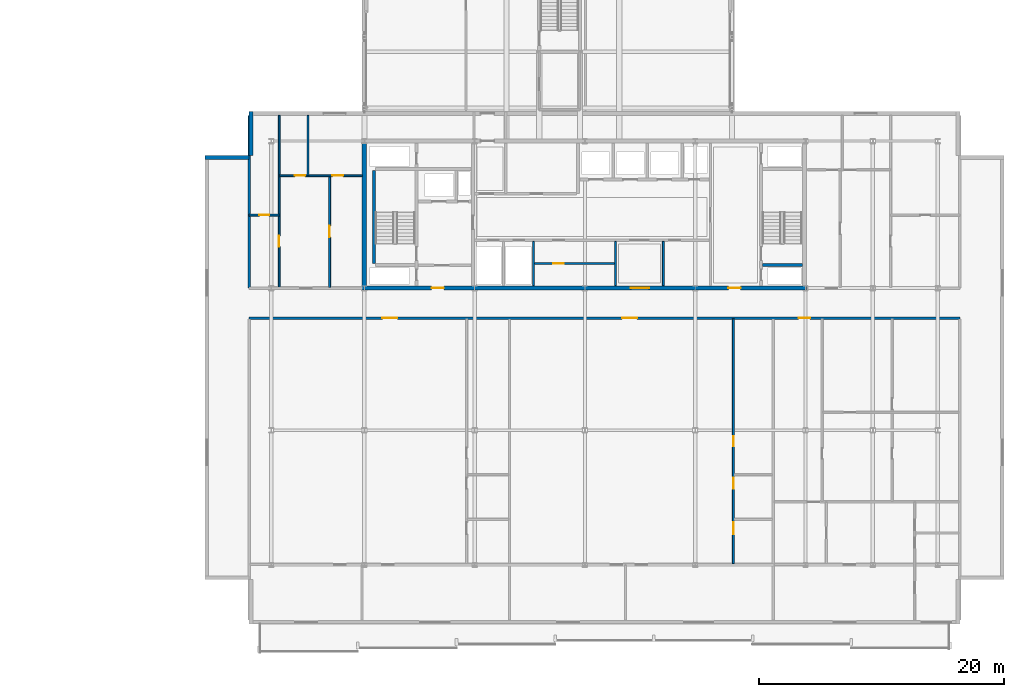
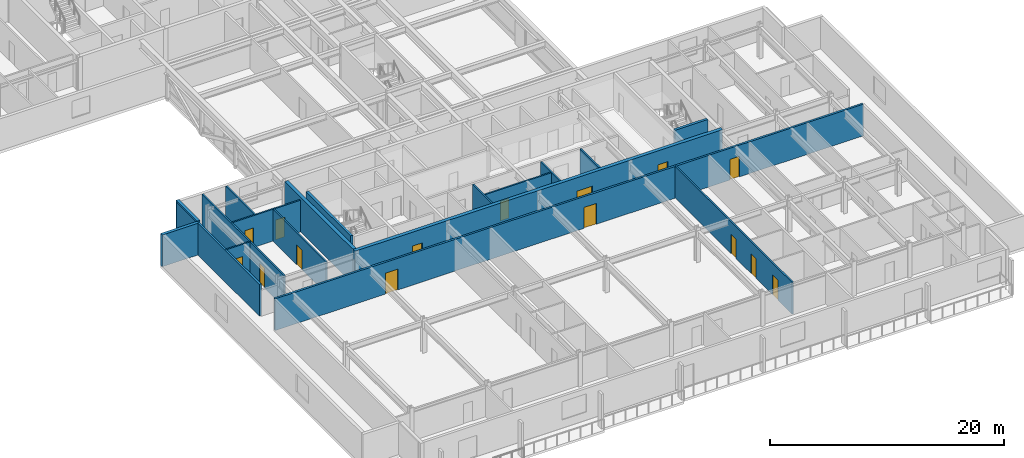
# One storey, part 18 of 35: 18 walls, 15 doors, 15 openings.
"""IFC4 building model written with IfcOpenShell, lengths in metres."""

from ifc_helpers import new_model, si_unit, direction, frame, frame_2d, origin, place, context, subcontext, project, spatial, rectangle, extrude, material, layer, layer_set, type_object, element, fill, save


model = new_model("IFC4")

# Units and contexts
model_context = context("Model", 3, precision=1e-05, world=origin(), true_north=direction((0.0, 1.0)))
body_context = subcontext(model_context, "Body", "Model", "MODEL_VIEW")
ifc_project = project(units=[si_unit("LENGTHUNIT", "METRE"), si_unit("AREAUNIT", "SQUARE_METRE"), si_unit("VOLUMEUNIT", "CUBIC_METRE"), si_unit("PLANEANGLEUNIT", "RADIAN"), si_unit("MASSUNIT", "GRAM", prefix="KILO")], contexts=[model_context])

# Site, building, storey
site_placement = place(None, origin())
site = spatial("IfcSite", under=ifc_project, at=site_placement, CompositionType="ELEMENT")
building_placement = place(site_placement, origin())
building = spatial("IfcBuilding", under=site, at=building_placement, Name="Korimba Cascade Residences", CompositionType="ELEMENT")
storey_placement = place(building_placement, frame((0.0, 0.0, 150.10009765625)))
storey = spatial("IfcBuildingStorey", under=building, at=storey_placement, Name="L43", CompositionType="ELEMENT", Elevation=150.10009765625)

# Walls
ifc_material_1 = material(Name="Precast concrete C40/50", Category="concrete")
ifc_layer_1 = layer(ifc_material_1, 0.300048828125)
ifc_layer_set_1 = layer_set([ifc_layer_1], Name="Precast concrete C40/50")
wall_type_1 = type_object("IfcWallType", Name="EW-STONE-300", PredefinedType="STANDARD", material=ifc_layer_set_1)
wall_1_placement = place(storey_placement, frame((72.85009765625, 32.800048828125, 0.0), z_axis=(0.0, 0.0, 1.0), x_axis=(0.0, -1.0, 0.0)))
element("IfcWall", 1, at=wall_1_placement, inside=storey, type_object=wall_type_1, Name="L43 T2 Perimeter Stone Wall E07", PredefinedType="STANDARD", context=body_context, shape_type="SweptSolid", body=[
    extrude(rectangle(XDim=3.60009765625, YDim=0.300048828125, at=frame_2d((1.800048828125, 0.0))), origin(), (0.0, 0.0, 1.0), 3.309814453125),
])
wall_2_placement = place(storey_placement, frame((72.699951171875, 29.050048828125, 0.0), z_axis=(0.0, 0.0, 1.0), x_axis=(-1.0, 0.0, 0.0)))
element("IfcWall", 2, at=wall_2_placement, inside=storey, type_object=wall_type_1, Name="L43 T2 Perimeter Stone Wall E08", PredefinedType="STANDARD", context=body_context, shape_type="SweptSolid", body=[
    extrude(rectangle(XDim=3.599853515625, YDim=0.300048828125, at=frame_2d((1.7998046875, 0.0))), origin(), (0.0, 0.0, 1.0), 3.309814453125),
])
ifc_material_2 = material(Name="Concrete C65/80", Category="concrete")
ifc_layer_2 = layer(ifc_material_2, 0.35009765625)
ifc_layer_set_2 = layer_set([ifc_layer_2], Name="Concrete C65/80")
wall_type_2 = type_object("IfcWallType", Name="WAL-CORE-350", PredefinedType="SHEAR", material=ifc_layer_set_2)
wall_3_placement = place(storey_placement, frame((82.10009765625, 18.574951171875, 0.0), z_axis=(0.0, 0.0, 1.0), x_axis=(0.0, 1.0, 0.0)))
element("IfcWall", 3, at=wall_3_placement, inside=storey, type_object=wall_type_2, Name="L43 Core Shear Wall CW-L43-T2-W", PredefinedType="SHEAR", context=body_context, shape_type="SweptSolid", body=[
    extrude(rectangle(XDim=11.650146484375, YDim=0.35009765625, at=frame_2d((5.8251953125, 0.0))), origin(), (0.0, 0.0, 1.0), 3.599853515625),
])

# Wall, openings, doors
wall_4_placement = place(storey_placement, frame((81.925048828125, 18.39990234375, 0.0), z_axis=(0.0, 0.0, 1.0), x_axis=(1.0, 0.0, 0.0)))
wall_4 = element("IfcWall", 4, at=wall_4_placement, inside=storey, type_object=wall_type_2, Name="L43 Core Shear Wall CW-L43-T2-S", PredefinedType="SHEAR", context=body_context, shape_type="SweptSolid", body=[
    extrude(rectangle(XDim=36.264892578125, YDim=0.35009765625, at=frame_2d((18.13232421875, 0.0))), origin(), (0.0, 0.0, 1.0), 3.599853515625),
])
opening_1_placement = place(wall_4_placement, frame((5.675048828125, 0.0, 0.0)))
opening_1 = element("IfcOpeningElement", 5, at=opening_1_placement, cuts=wall_4, Name="Opening D-FD5", PredefinedType="OPENING", context=body_context, shape_type="SweptSolid", body=[
    extrude(rectangle(XDim=1.0, YDim=2.14990234375, at=frame_2d((0.5, 1.074951171875))), frame((0.0, 0.18505859375, 0.0), z_axis=(0.0, -1.0, 0.0), x_axis=(1.0, 0.0, 0.0)), (0.0, 0.0, 1.0), 0.3701171875),
])
opening_2_placement = place(wall_4_placement, frame((21.925048828125, 0.0, 0.0)))
opening_2 = element("IfcOpeningElement", 6, at=opening_2_placement, cuts=wall_4, Name="Opening D-FD8", PredefinedType="OPENING", context=body_context, shape_type="SweptSolid", body=[
    extrude(rectangle(XDim=1.5, YDim=2.199951171875, at=frame_2d((0.75, 1.10009765625))), frame((0.0, 0.18505859375, 0.0), z_axis=(0.0, -1.0, 0.0), x_axis=(1.0, 0.0, 0.0)), (0.0, 0.0, 1.0), 0.3701171875),
])
opening_3_placement = place(wall_4_placement, frame((29.875, 0.0, 0.0)))
opening_3 = element("IfcOpeningElement", 7, at=opening_3_placement, cuts=wall_4, Name="Opening D-FD5", PredefinedType="OPENING", context=body_context, shape_type="SweptSolid", body=[
    extrude(rectangle(XDim=1.0, YDim=2.14990234375, at=frame_2d((0.5, 1.074951171875))), frame((0.0, 0.18505859375, 0.0), z_axis=(0.0, -1.0, 0.0), x_axis=(1.0, 0.0, 0.0)), (0.0, 0.0, 1.0), 0.3701171875),
])
ifc_material_3 = material(Name="Fire-Rated Acoustic Timber Vestibule Door", Category="wood")
door_type_1 = type_object("IfcDoorType", Name="DR-FD90-1000", OperationType="NOTDEFINED", PredefinedType="DOOR", material=ifc_material_3)
door_1_placement = place(opening_1_placement, origin())
door_1 = element("IfcDoor", 8, at=door_1_placement, inside=storey, type_object=door_type_1, Name="L43 T2 West Core Vestibule Fire Door", OperationType="SINGLE_SWING_RIGHT", OverallHeight=2.14990234375, OverallWidth=1.0, PredefinedType="DOOR", context=body_context, shape_type="SweptSolid", body=[
    extrude(rectangle(XDim=1.0, YDim=2.14990234375, at=frame_2d((0.5, 1.074951171875))), frame((0.0, 0.02490234375, 0.0), z_axis=(0.0, -1.0, 0.0), x_axis=(1.0, 0.0, 0.0)), (0.0, 0.0, 1.0), 0.050048828125),
])
fill(opening_1, door_1)
door_2_placement = place(opening_3_placement, origin())
door_2 = element("IfcDoor", 9, at=door_2_placement, inside=storey, type_object=door_type_1, Name="L43 T2 East Stair Vestibule Fire Door", OperationType="SINGLE_SWING_LEFT", OverallHeight=2.14990234375, OverallWidth=1.0, PredefinedType="DOOR", context=body_context, shape_type="SweptSolid", body=[
    extrude(rectangle(XDim=1.0, YDim=2.14990234375, at=frame_2d((0.5, 1.074951171875))), frame((0.0, 0.02490234375, 0.0), z_axis=(0.0, -1.0, 0.0), x_axis=(1.0, 0.0, 0.0)), (0.0, 0.0, 1.0), 0.050048828125),
])
fill(opening_3, door_2)
ifc_material_4 = material(Name="Fire-Rated Glazed Lift Lobby Double Door", Category="glass")
door_type_2 = type_object("IfcDoorType", Name="DR-FD90-1500", OperationType="NOTDEFINED", PredefinedType="DOOR", material=ifc_material_4)
door_3_placement = place(opening_2_placement, origin())
door_3 = element("IfcDoor", 10, at=door_3_placement, inside=storey, type_object=door_type_2, Name="L43 T2 Lift Lobby Fire Door", OperationType="DOUBLE_DOOR_SINGLE_SWING", OverallHeight=2.199951171875, OverallWidth=1.5, PredefinedType="DOOR", context=body_context, shape_type="SweptSolid", body=[
    extrude(rectangle(XDim=1.5, YDim=2.199951171875, at=frame_2d((0.75, 1.10009765625))), frame((0.0, 0.02490234375, 0.0), z_axis=(0.0, -1.0, 0.0), x_axis=(1.0, 0.0, 0.0)), (0.0, 0.0, 1.0), 0.050048828125),
])
fill(opening_2, door_3)

# Wall
ifc_layer_3 = layer(ifc_material_1, 0.199951171875)
ifc_layer_set_3 = layer_set([ifc_layer_3], Name="Precast concrete C40/50")
wall_type_3 = type_object("IfcWallType", Name="WAL-IT-200", PredefinedType="PARTITIONING", material=ifc_layer_set_3)
wall_5_placement = place(storey_placement, frame((72.699951171875, 18.39990234375, 0.0), z_axis=(0.0, 0.0, 1.0), x_axis=(0.0, 1.0, 0.0)))
element("IfcWall", 11, at=wall_5_placement, inside=storey, type_object=wall_type_3, Name="L43 Partition Wall WAL-L43-T2-FW-WL", PredefinedType="PARTITIONING", context=body_context, shape_type="SweptSolid", body=[
    extrude(rectangle(XDim=14.10009765625, YDim=0.199951171875, at=frame_2d((7.050048828125, 0.0))), origin(), (0.0, 0.0, 1.0), 3.309814453125),
])

# Wall, openings, doors
wall_6_placement = place(storey_placement, frame((72.699951171875, 15.949951171875, 0.0), z_axis=(0.0, 0.0, 1.0), x_axis=(1.0, 0.0, 0.0)))
wall_6 = element("IfcWall", 12, at=wall_6_placement, inside=storey, type_object=wall_type_3, Name="L43 Partition Wall WAL-L43-T2-CORS", PredefinedType="PARTITIONING", context=body_context, shape_type="SweptSolid", body=[
    extrude(rectangle(XDim=58.0, YDim=0.199951171875, at=frame_2d((29.0, 0.0))), origin(), (0.0, 0.0, 1.0), 3.309814453125),
])
opening_4_placement = place(wall_6_placement, frame((10.86767578125, 0.0, 0.0)))
opening_4 = element("IfcOpeningElement", 13, at=opening_4_placement, cuts=wall_6, Name="Opening D-AM1", PredefinedType="OPENING", context=body_context, shape_type="SweptSolid", body=[
    extrude(rectangle(XDim=1.219970703125, YDim=2.179931640625, at=frame_2d((0.60986328125, 1.08984375))), frame((0.0, 0.10986328125, 0.0), z_axis=(0.0, -1.0, 0.0), x_axis=(1.0, 0.0, 0.0)), (0.0, 0.0, 1.0), 0.219970703125),
])
opening_5_placement = place(wall_6_placement, frame((30.44091796875, 0.0, 0.0)))
opening_5 = element("IfcOpeningElement", 14, at=opening_5_placement, cuts=wall_6, Name="Opening D-AM1", PredefinedType="OPENING", context=body_context, shape_type="SweptSolid", body=[
    extrude(rectangle(XDim=1.219970703125, YDim=2.179931640625, at=frame_2d((0.60986328125, 1.08984375))), frame((0.0, 0.10986328125, 0.0), z_axis=(0.0, -1.0, 0.0), x_axis=(1.0, 0.0, 0.0)), (0.0, 0.0, 1.0), 0.219970703125),
])
opening_6_placement = place(wall_6_placement, frame((44.831298828125, 0.0, 0.0)))
opening_6 = element("IfcOpeningElement", 15, at=opening_6_placement, cuts=wall_6, Name="Opening D-UN1", PredefinedType="OPENING", context=body_context, shape_type="SweptSolid", body=[
    extrude(rectangle(XDim=0.949951171875, YDim=2.14990234375, at=frame_2d((0.47509765625, 1.074951171875))), frame((0.0, 0.10986328125, 0.0), z_axis=(0.0, -1.0, 0.0), x_axis=(1.0, 0.0, 0.0)), (0.0, 0.0, 1.0), 0.219970703125),
])
ifc_material_5 = material(Name="Fire-Rated Glazed Timber Suite Door", Category="wood")
door_type_3 = type_object("IfcDoorType", Name="DR-FD60-1200", OperationType="NOTDEFINED", PredefinedType="DOOR", material=ifc_material_5)
door_4_placement = place(opening_4_placement, origin())
door_4 = element("IfcDoor", 16, at=door_4_placement, inside=storey, type_object=door_type_3, Name="L43-T2-U01 Transfer Reception Foyer Door", OperationType="SINGLE_SWING_RIGHT", OverallHeight=2.179931640625, OverallWidth=1.219970703125, PredefinedType="DOOR", context=body_context, shape_type="SweptSolid", body=[
    extrude(rectangle(XDim=1.219970703125, YDim=2.179931640625, at=frame_2d((0.60986328125, 1.08984375))), frame((0.0, 0.02490234375, 0.0), z_axis=(0.0, -1.0, 0.0), x_axis=(1.0, 0.0, 0.0)), (0.0, 0.0, 1.0), 0.050048828125),
])
fill(opening_4, door_4)
door_5_placement = place(opening_5_placement, origin())
door_5 = element("IfcDoor", 17, at=door_5_placement, inside=storey, type_object=door_type_3, Name="L43-T2-U02 Architecture Reading Library Door", OperationType="SINGLE_SWING_LEFT", OverallHeight=2.179931640625, OverallWidth=1.219970703125, PredefinedType="DOOR", context=body_context, shape_type="SweptSolid", body=[
    extrude(rectangle(XDim=1.219970703125, YDim=2.179931640625, at=frame_2d((0.60986328125, 1.08984375))), frame((0.0, 0.02490234375, 0.0), z_axis=(0.0, -1.0, 0.0), x_axis=(1.0, 0.0, 0.0)), (0.0, 0.0, 1.0), 0.050048828125),
])
fill(opening_5, door_5)
ifc_material_6 = material(Name="Fire-Rated Hardwood Apartment Entrance Door", Category="wood")
door_type_4 = type_object("IfcDoorType", Name="DR-FD60-950", OperationType="NOTDEFINED", PredefinedType="DOOR", material=ifc_material_6)
door_6_placement = place(opening_6_placement, origin())
door_6 = element("IfcDoor", 18, at=door_6_placement, inside=storey, type_object=door_type_4, Name="Unit L43-T2-U03 Entrance Door", OperationType="SINGLE_SWING_RIGHT", OverallHeight=2.14990234375, OverallWidth=0.949951171875, PredefinedType="DOOR", context=body_context, shape_type="SweptSolid", body=[
    extrude(rectangle(XDim=0.949951171875, YDim=2.14990234375, at=frame_2d((0.47509765625, 1.074951171875))), frame((0.0, 0.02490234375, 0.0), z_axis=(0.0, -1.0, 0.0), x_axis=(1.0, 0.0, 0.0)), (0.0, 0.0, 1.0), 0.050048828125),
])
fill(opening_6, door_6)

# Wall
ifc_material_7 = material(Name="Insulated Acoustic Stud Partition", Category="gypsum")
ifc_layer_4 = layer(ifc_material_7, 0.14990234375)
ifc_layer_set_4 = layer_set([ifc_layer_4], Name="Insulated Acoustic Stud Partition")
wall_type_4 = type_object("IfcWallType", Name="WAL-PART-150", PredefinedType="PARTITIONING", material=ifc_layer_set_4)
wall_7_placement = place(storey_placement, frame((95.89990234375, 18.60009765625, 0.0), z_axis=(0.0, 0.0, 1.0), x_axis=(0.0, 1.0, 0.0)))
element("IfcWall", 19, at=wall_7_placement, inside=storey, type_object=wall_type_4, Name="L43 Partition Wall CW-L43-T2-PRDIV", PredefinedType="PARTITIONING", context=body_context, shape_type="SweptSolid", body=[
    extrude(rectangle(XDim=3.599853515625, YDim=0.14990234375, at=frame_2d((1.7998046875, 0.0))), origin(), (0.0, 0.0, 1.0), 3.309814453125),
])

# Wall, opening, door
wall_8_placement = place(storey_placement, frame((95.89990234375, 20.39990234375, 0.0), z_axis=(0.0, 0.0, 1.0), x_axis=(1.0, 0.0, 0.0)))
wall_8 = element("IfcWall", 20, at=wall_8_placement, inside=storey, type_object=wall_type_4, Name="L43 Partition Wall CW-L43-T2-CA2HZ", PredefinedType="PARTITIONING", context=body_context, shape_type="SweptSolid", body=[
    extrude(rectangle(XDim=6.7001953125, YDim=0.14990234375, at=frame_2d((3.35009765625, 0.0))), origin(), (0.0, 0.0, 1.0), 3.309814453125),
])
opening_7_placement = place(wall_8_placement, frame((1.60009765625, 0.0, 0.0)))
opening_7 = element("IfcOpeningElement", 21, at=opening_7_placement, cuts=wall_8, Name="Opening D-IN2", PredefinedType="OPENING", context=body_context, shape_type="SweptSolid", body=[
    extrude(rectangle(XDim=0.8798828125, YDim=2.06005859375, at=frame_2d((0.43994140625, 1.030029296875))), frame((0.0, 0.0849609375, 0.0), z_axis=(0.0, -1.0, 0.0), x_axis=(1.0, 0.0, 0.0)), (0.0, 0.0, 1.0), 0.169921875),
])
ifc_material_8 = material(Name="Acoustic Timber Bedroom Door", Category="wood")
door_type_5 = type_object("IfcDoorType", Name="DR-INT-880", OperationType="NOTDEFINED", PredefinedType="DOOR", material=ifc_material_8)
door_7_placement = place(opening_7_placement, origin())
door_7 = element("IfcDoor", 22, at=door_7_placement, inside=storey, type_object=door_type_5, Name="L43 T2 Pram Store Door", OperationType="SINGLE_SWING_LEFT", OverallHeight=2.06005859375, OverallWidth=0.8798828125, PredefinedType="DOOR", context=body_context, shape_type="SweptSolid", body=[
    extrude(rectangle(XDim=0.8798828125, YDim=2.06005859375, at=frame_2d((0.43994140625, 1.030029296875))), frame((0.0, 0.02490234375, 0.0), z_axis=(0.0, -1.0, 0.0), x_axis=(1.0, 0.0, 0.0)), (0.0, 0.0, 1.0), 0.050048828125),
])
fill(opening_7, door_7)

# Walls
for number, where, z_axis, x_axis, name in (
    (23, (102.60009765625, 18.60009765625, 0.0), (0.0, 0.0, 1.0), (0.0, 1.0, 0.0), "L43 Partition Wall CW-L43-T2-THW"),
    (24, (106.5, 18.60009765625, 0.0), (0.0, 0.0, 1.0), (0.0, 1.0, 0.0), "L43 Partition Wall CW-L43-T2-THE"),
):
    element("IfcWall", number, at=place(storey_placement, frame(where, z_axis=z_axis, x_axis=x_axis)), inside=storey, type_object=wall_type_4, Name=name, PredefinedType="PARTITIONING", context=body_context, shape_type="SweptSolid", body=[
        extrude(rectangle(XDim=3.599853515625, YDim=0.14990234375, at=frame_2d((1.7998046875, 0.0))), origin(), (0.0, 0.0, 1.0), 3.309814453125),
    ])

# Wall, opening, door
wall_9_placement = place(storey_placement, frame((72.699951171875, 24.35009765625, 0.0), z_axis=(0.0, 0.0, 1.0), x_axis=(1.0, 0.0, 0.0)))
wall_9 = element("IfcWall", 25, at=wall_9_placement, inside=storey, type_object=wall_type_4, Name="L43 Partition Wall WAL-L43-T2-FW-STH", PredefinedType="PARTITIONING", context=body_context, shape_type="SweptSolid", body=[
    extrude(rectangle(XDim=2.449951171875, YDim=0.14990234375, at=frame_2d((1.22509765625, 0.0))), origin(), (0.0, 0.0, 1.0), 3.309814453125),
])
opening_8_placement = place(wall_9_placement, frame((0.804931640625, 0.0, 0.0)))
opening_8 = element("IfcOpeningElement", 26, at=opening_8_placement, cuts=wall_9, Name="Opening D-BT1", PredefinedType="OPENING", context=body_context, shape_type="SweptSolid", body=[
    extrude(rectangle(XDim=0.840087890625, YDim=2.0400390625, at=frame_2d((0.419921875, 1.02001953125))), frame((0.0, 0.0849609375, 0.0), z_axis=(0.0, -1.0, 0.0), x_axis=(1.0, 0.0, 0.0)), (0.0, 0.0, 1.0), 0.169921875),
])
ifc_material_9 = material(Name="Moisture-Resistant Bathroom Timber Door", Category="wood")
door_type_6 = type_object("IfcDoorType", Name="DR-INT-850", OperationType="NOTDEFINED", PredefinedType="DOOR", material=ifc_material_9)
door_8_placement = place(opening_8_placement, origin())
door_8 = element("IfcDoor", 27, at=door_8_placement, inside=storey, type_object=door_type_6, Name="L43-T2-FW Dressing Store Door", OperationType="SINGLE_SWING_RIGHT", OverallHeight=2.0400390625, OverallWidth=0.840087890625, PredefinedType="DOOR", context=body_context, shape_type="SweptSolid", body=[
    extrude(rectangle(XDim=0.840087890625, YDim=2.0400390625, at=frame_2d((0.419921875, 1.02001953125))), frame((0.0, 0.02490234375, 0.0), z_axis=(0.0, -1.0, 0.0), x_axis=(1.0, 0.0, 0.0)), (0.0, 0.0, 1.0), 0.050048828125),
])
fill(opening_8, door_8)

wall_10_placement = place(storey_placement, frame((75.14990234375, 18.449951171875, 0.0), z_axis=(0.0, 0.0, 1.0), x_axis=(0.0, 1.0, 0.0)))
wall_10 = element("IfcWall", 28, at=wall_10_placement, inside=storey, type_object=wall_type_4, Name="L43 Partition Wall WAL-L43-T2-FW-STV", PredefinedType="PARTITIONING", context=body_context, shape_type="SweptSolid", body=[
    extrude(rectangle(XDim=14.050048828125, YDim=0.14990234375, at=frame_2d((7.02490234375, 0.0))), origin(), (0.0, 0.0, 1.0), 3.309814453125),
])
opening_9_placement = place(wall_10_placement, frame((3.320068359375, 0.0, 0.0)))
opening_9 = element("IfcOpeningElement", 29, at=opening_9_placement, cuts=wall_10, Name="Opening D-IN2", PredefinedType="OPENING", context=body_context, shape_type="SweptSolid", body=[
    extrude(rectangle(XDim=0.8798828125, YDim=2.06005859375, at=frame_2d((0.43994140625, 1.030029296875))), frame((0.0, 0.0849609375, 0.0), z_axis=(0.0, -1.0, 0.0), x_axis=(1.0, 0.0, 0.0)), (0.0, 0.0, 1.0), 0.169921875),
])
door_9_placement = place(opening_9_placement, origin())
door_9 = element("IfcDoor", 30, at=door_9_placement, inside=storey, type_object=door_type_5, Name="L43-T2-FW Study Door", OperationType="SINGLE_SWING_LEFT", OverallHeight=2.06005859375, OverallWidth=0.8798828125, PredefinedType="DOOR", context=body_context, shape_type="SweptSolid", body=[
    extrude(rectangle(XDim=0.8798828125, YDim=2.06005859375, at=frame_2d((0.43994140625, 1.030029296875))), frame((0.0, 0.02490234375, 0.0), z_axis=(0.0, -1.0, 0.0), x_axis=(1.0, 0.0, 0.0)), (0.0, 0.0, 1.0), 0.050048828125),
])
fill(opening_9, door_9)

wall_11_placement = place(storey_placement, frame((79.27001953125, 18.449951171875, 0.0), z_axis=(0.0, 0.0, 1.0), x_axis=(0.0, 1.0, 0.0)))
wall_11 = element("IfcWall", 31, at=wall_11_placement, inside=storey, type_object=wall_type_4, Name="L43 Partition Wall WAL-L43-T2-FW-VS", PredefinedType="PARTITIONING", context=body_context, shape_type="SweptSolid", body=[
    extrude(rectangle(XDim=9.1201171875, YDim=0.14990234375, at=frame_2d((4.56005859375, 0.0))), origin(), (0.0, 0.0, 1.0), 3.309814453125),
])
opening_10_placement = place(wall_11_placement, frame((4.10009765625, 0.0, 0.0)))
opening_10 = element("IfcOpeningElement", 32, at=opening_10_placement, cuts=wall_11, Name="Opening D-IN1", PredefinedType="OPENING", context=body_context, shape_type="SweptSolid", body=[
    extrude(rectangle(XDim=0.919921875, YDim=2.080078125, at=frame_2d((0.4599609375, 1.0400390625))), frame((0.0, 0.0849609375, 0.0), z_axis=(0.0, -1.0, 0.0), x_axis=(1.0, 0.0, 0.0)), (0.0, 0.0, 1.0), 0.169921875),
])
ifc_material_10 = material(Name="Acoustic Timber Living Door", Category="wood")
door_type_7 = type_object("IfcDoorType", Name="DR-INT-920", OperationType="NOTDEFINED", PredefinedType="DOOR", material=ifc_material_10)
door_10_placement = place(opening_10_placement, origin())
door_10 = element("IfcDoor", 33, at=door_10_placement, inside=storey, type_object=door_type_7, Name="L43-T2-FW Living Door", OperationType="SINGLE_SWING_RIGHT", OverallHeight=2.080078125, OverallWidth=0.919921875, PredefinedType="DOOR", context=body_context, shape_type="SweptSolid", body=[
    extrude(rectangle(XDim=0.919921875, YDim=2.080078125, at=frame_2d((0.4599609375, 1.0400390625))), frame((0.0, 0.02490234375, 0.0), z_axis=(0.0, -1.0, 0.0), x_axis=(1.0, 0.0, 0.0)), (0.0, 0.0, 1.0), 0.050048828125),
])
fill(opening_10, door_10)

# Wall
wall_12_placement = place(storey_placement, frame((77.5, 27.570068359375, 0.0), z_axis=(0.0, 0.0, 1.0), x_axis=(0.0, 1.0, 0.0)))
element("IfcWall", 34, at=wall_12_placement, inside=storey, type_object=wall_type_4, Name="L43 Partition Wall WAL-L43-T2-FW-VN", PredefinedType="PARTITIONING", context=body_context, shape_type="SweptSolid", body=[
    extrude(rectangle(XDim=4.929931640625, YDim=0.14990234375, at=frame_2d((2.46484375, 0.0))), origin(), (0.0, 0.0, 1.0), 3.309814453125),
])

# Wall, openings, doors
wall_13_placement = place(storey_placement, frame((75.169921875, 27.570068359375, 0.0), z_axis=(0.0, 0.0, 1.0), x_axis=(1.0, 0.0, 0.0)))
wall_13 = element("IfcWall", 35, at=wall_13_placement, inside=storey, type_object=wall_type_4, Name="L43 Partition Wall WAL-L43-T2-FW-H", PredefinedType="PARTITIONING", context=body_context, shape_type="SweptSolid", body=[
    extrude(rectangle(XDim=6.760009765625, YDim=0.14990234375, at=frame_2d((3.3798828125, 0.0))), origin(), (0.0, 0.0, 1.0), 3.309814453125),
])
opening_11_placement = place(wall_13_placement, frame((1.266357421875, 0.0, 0.0)))
opening_11 = element("IfcOpeningElement", 36, at=opening_11_placement, cuts=wall_13, Name="Opening D-BT1", PredefinedType="OPENING", context=body_context, shape_type="SweptSolid", body=[
    extrude(rectangle(XDim=0.840087890625, YDim=2.0400390625, at=frame_2d((0.419921875, 1.02001953125))), frame((0.0, 0.0849609375, 0.0), z_axis=(0.0, -1.0, 0.0), x_axis=(1.0, 0.0, 0.0)), (0.0, 0.0, 1.0), 0.169921875),
])
opening_12_placement = place(wall_13_placement, frame((4.320068359375, 0.0, 0.0)))
opening_12 = element("IfcOpeningElement", 37, at=opening_12_placement, cuts=wall_13, Name="Opening D-IN2", PredefinedType="OPENING", context=body_context, shape_type="SweptSolid", body=[
    extrude(rectangle(XDim=0.8798828125, YDim=2.06005859375, at=frame_2d((0.43994140625, 1.030029296875))), frame((0.0, 0.0849609375, 0.0), z_axis=(0.0, -1.0, 0.0), x_axis=(1.0, 0.0, 0.0)), (0.0, 0.0, 1.0), 0.169921875),
])
door_11_placement = place(opening_11_placement, origin())
door_11 = element("IfcDoor", 38, at=door_11_placement, inside=storey, type_object=door_type_6, Name="L43-T2-FW Bathroom Door", OperationType="SINGLE_SWING_LEFT", OverallHeight=2.0400390625, OverallWidth=0.840087890625, PredefinedType="DOOR", context=body_context, shape_type="SweptSolid", body=[
    extrude(rectangle(XDim=0.840087890625, YDim=2.0400390625, at=frame_2d((0.419921875, 1.02001953125))), frame((0.0, 0.02490234375, 0.0), z_axis=(0.0, -1.0, 0.0), x_axis=(1.0, 0.0, 0.0)), (0.0, 0.0, 1.0), 0.050048828125),
])
fill(opening_11, door_11)
door_12_placement = place(opening_12_placement, origin())
door_12 = element("IfcDoor", 39, at=door_12_placement, inside=storey, type_object=door_type_5, Name="L43-T2-FW Bedroom Door", OperationType="SINGLE_SWING_RIGHT", OverallHeight=2.06005859375, OverallWidth=0.8798828125, PredefinedType="DOOR", context=body_context, shape_type="SweptSolid", body=[
    extrude(rectangle(XDim=0.8798828125, YDim=2.06005859375, at=frame_2d((0.43994140625, 1.030029296875))), frame((0.0, 0.02490234375, 0.0), z_axis=(0.0, -1.0, 0.0), x_axis=(1.0, 0.0, 0.0)), (0.0, 0.0, 1.0), 0.050048828125),
])
fill(opening_12, door_12)

wall_14_placement = place(storey_placement, frame((112.21630859375, -4.090087890625, 0.0), z_axis=(0.0, 0.0, 1.0), x_axis=(0.0, 1.0, 0.0)))
wall_14 = element("IfcWall", 40, at=wall_14_placement, inside=storey, type_object=wall_type_4, Name="L43 Partition Wall WAL-L43-T2-U02-WCV", PredefinedType="PARTITIONING", context=body_context, shape_type="SweptSolid", body=[
    extrude(rectangle(XDim=19.97998046875, YDim=0.14990234375, at=frame_2d((9.989990234375, 0.0))), origin(), (0.0, 0.0, 1.0), 3.309814453125),
])
opening_13_placement = place(wall_14_placement, frame((2.406005859375, 0.0, 0.0)))
opening_13 = element("IfcOpeningElement", 41, at=opening_13_placement, cuts=wall_14, Name="Opening D-AC1", PredefinedType="OPENING", context=body_context, shape_type="SweptSolid", body=[
    extrude(rectangle(XDim=0.9599609375, YDim=2.10009765625, at=frame_2d((0.47998046875, 1.050048828125))), frame((0.0, 0.0849609375, 0.0), z_axis=(0.0, -1.0, 0.0), x_axis=(1.0, 0.0, 0.0)), (0.0, 0.0, 1.0), 0.169921875),
])
opening_14_placement = place(wall_14_placement, frame((6.132568359375, 0.0, 0.0)))
opening_14 = element("IfcOpeningElement", 42, at=opening_14_placement, cuts=wall_14, Name="Opening D-IN2", PredefinedType="OPENING", context=body_context, shape_type="SweptSolid", body=[
    extrude(rectangle(XDim=0.8798828125, YDim=2.06005859375, at=frame_2d((0.43994140625, 1.030029296875))), frame((0.0, 0.0849609375, 0.0), z_axis=(0.0, -1.0, 0.0), x_axis=(1.0, 0.0, 0.0)), (0.0, 0.0, 1.0), 0.169921875),
])
opening_15_placement = place(wall_14_placement, frame((9.570068359375, 0.0, 0.0)))
opening_15 = element("IfcOpeningElement", 43, at=opening_15_placement, cuts=wall_14, Name="Opening D-BT1", PredefinedType="OPENING", context=body_context, shape_type="SweptSolid", body=[
    extrude(rectangle(XDim=0.840087890625, YDim=2.0400390625, at=frame_2d((0.419921875, 1.02001953125))), frame((0.0, 0.0849609375, 0.0), z_axis=(0.0, -1.0, 0.0), x_axis=(1.0, 0.0, 0.0)), (0.0, 0.0, 1.0), 0.169921875),
])
ifc_material_11 = material(Name="Accessible Acoustic Timber WC Door", Category="wood")
door_type_8 = type_object("IfcDoorType", Name="DR-ACC-950", OperationType="NOTDEFINED", PredefinedType="DOOR", material=ifc_material_11)
door_13_placement = place(opening_13_placement, origin())
door_13 = element("IfcDoor", 44, at=door_13_placement, inside=storey, type_object=door_type_8, Name="L43-T2-U02 Accessible WC Door", OperationType="SINGLE_SWING_LEFT", OverallHeight=2.10009765625, OverallWidth=0.9599609375, PredefinedType="DOOR", context=body_context, shape_type="SweptSolid", body=[
    extrude(rectangle(XDim=0.9599609375, YDim=2.10009765625, at=frame_2d((0.47998046875, 1.050048828125))), frame((0.0, 0.02490234375, 0.0), z_axis=(0.0, -1.0, 0.0), x_axis=(1.0, 0.0, 0.0)), (0.0, 0.0, 1.0), 0.050048828125),
])
fill(opening_13, door_13)
door_14_placement = place(opening_15_placement, origin())
door_14 = element("IfcDoor", 45, at=door_14_placement, inside=storey, type_object=door_type_6, Name="L43-T2-U02 Suite Store Door", OperationType="SINGLE_SWING_LEFT", OverallHeight=2.0400390625, OverallWidth=0.840087890625, PredefinedType="DOOR", context=body_context, shape_type="SweptSolid", body=[
    extrude(rectangle(XDim=0.840087890625, YDim=2.0400390625, at=frame_2d((0.419921875, 1.02001953125))), frame((0.0, 0.02490234375, 0.0), z_axis=(0.0, -1.0, 0.0), x_axis=(1.0, 0.0, 0.0)), (0.0, 0.0, 1.0), 0.050048828125),
])
fill(opening_15, door_14)
door_15_placement = place(opening_14_placement, origin())
door_15 = element("IfcDoor", 46, at=door_15_placement, inside=storey, type_object=door_type_5, Name="L43-T2-U02 Restroom WC Door", OperationType="SINGLE_SWING_RIGHT", OverallHeight=2.06005859375, OverallWidth=0.8798828125, PredefinedType="DOOR", context=body_context, shape_type="SweptSolid", body=[
    extrude(rectangle(XDim=0.8798828125, YDim=2.06005859375, at=frame_2d((0.43994140625, 1.030029296875))), frame((0.0, 0.02490234375, 0.0), z_axis=(0.0, -1.0, 0.0), x_axis=(1.0, 0.0, 0.0)), (0.0, 0.0, 1.0), 0.050048828125),
])
fill(opening_14, door_15)

# Walls
ifc_material_12 = material(Name="Concrete C50/60", Category="concrete")
ifc_layer_5 = layer(ifc_material_12, 0.25)
ifc_layer_set_5 = layer_set([ifc_layer_5], Name="Concrete C50/60")
wall_type_5 = type_object("IfcWallType", Name="WAL-SHAFT-250", PredefinedType="SHEAR", material=ifc_layer_set_5)
wall_15_placement = place(storey_placement, frame((82.875, 20.39990234375, 0.0), z_axis=(0.0, 0.0, 1.0), x_axis=(0.0, 1.0, 0.0)))
element("IfcWall", 47, at=wall_15_placement, inside=storey, type_object=wall_type_5, Name="L43 Core Shear Wall CW-L43-T2-STE1W", PredefinedType="SHEAR", context=body_context, shape_type="SweptSolid", body=[
    extrude(rectangle(XDim=7.60009765625, YDim=0.25, at=frame_2d((3.800048828125, 0.0))), origin(), (0.0, 0.0, 1.0), 3.599853515625),
])
wall_16_placement = place(storey_placement, frame((114.60009765625, 20.27490234375, 0.0), z_axis=(0.0, 0.0, 1.0), x_axis=(1.0, 0.0, 0.0)))
element("IfcWall", 48, at=wall_16_placement, inside=storey, type_object=wall_type_5, Name="L43 Core Shear Wall CW-L43-T2-STE2S", PredefinedType="SHEAR", context=body_context, shape_type="SweptSolid", body=[
    extrude(rectangle(XDim=3.239990234375, YDim=0.25, at=frame_2d((1.6201171875, 0.0))), origin(), (0.0, 0.0, 1.0), 3.599853515625),
])

save(model, "model.ifc")
